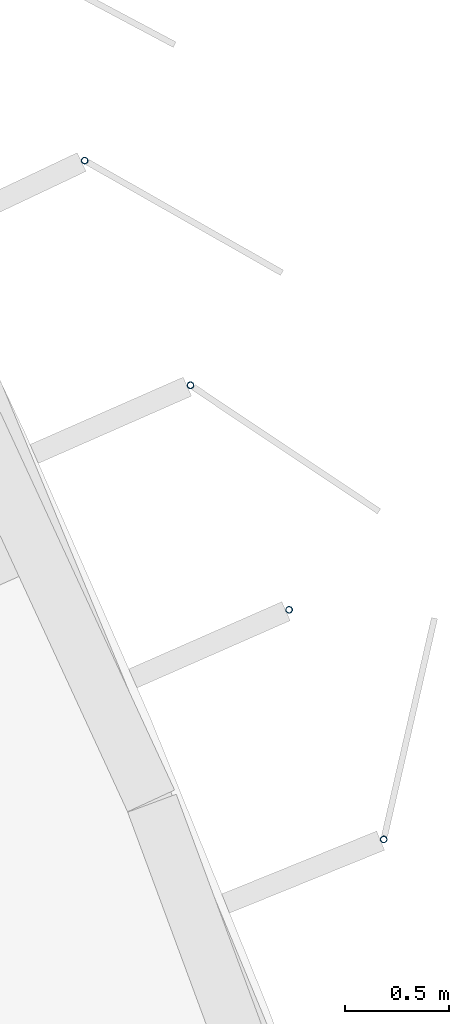
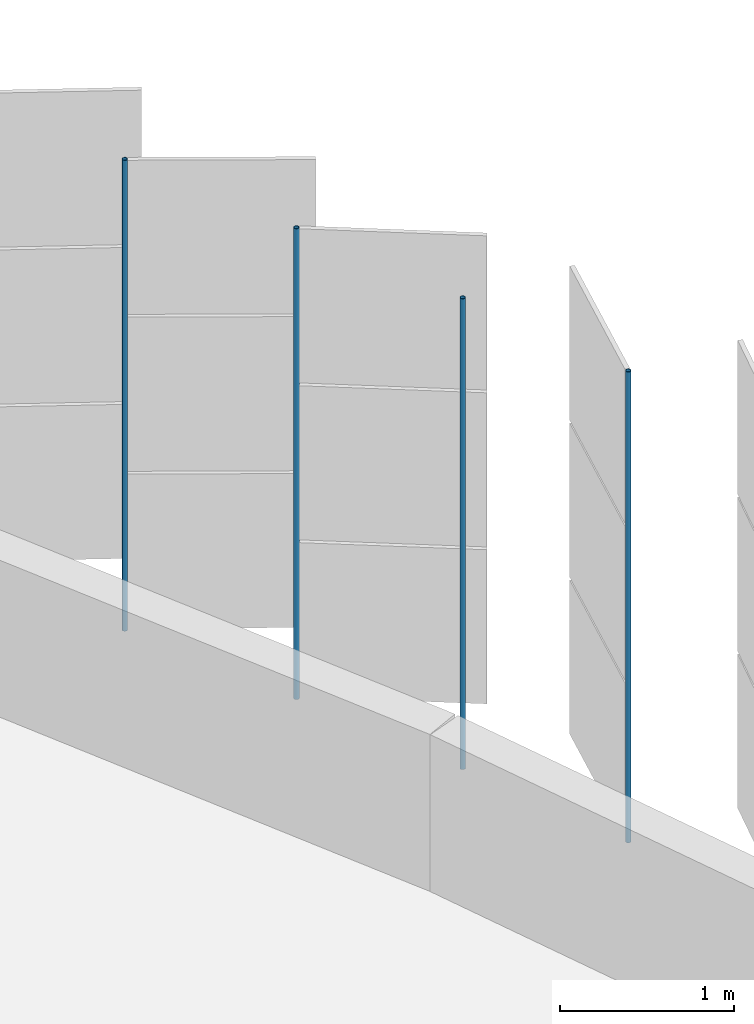
# One storey, part 140 of 214: 4 discrete accessories.
"""IFC4 building model written with IfcOpenShell, lengths in metres."""

from ifc_helpers import new_model, si_unit, direction, frame, origin, origin_2d, place, context, subcontext, project, spatial, hollow_circle, extrude, material, material_profile, profile_set, type_object, element, save


model = new_model("IFC4")

# Units and contexts
model_context = context("Model", 3, precision=1e-05, world=origin(), true_north=direction((0.0, 1.0)))
body_context = subcontext(model_context, "Body", "Model", "MODEL_VIEW")
ifc_project = project(units=[si_unit("LENGTHUNIT", "METRE"), si_unit("AREAUNIT", "SQUARE_METRE"), si_unit("VOLUMEUNIT", "CUBIC_METRE"), si_unit("PLANEANGLEUNIT", "RADIAN"), si_unit("MASSUNIT", "GRAM", prefix="KILO")], contexts=[model_context])

# Site, building, storey
site_placement = place(None, origin())
site = spatial("IfcSite", under=ifc_project, at=site_placement, CompositionType="ELEMENT")
building_placement = place(site_placement, origin())
building = spatial("IfcBuilding", under=site, at=building_placement, Name="Parallax Yard Mobility Hub", CompositionType="ELEMENT")
storey_placement = place(building_placement, frame((0.0, 0.0, 3.300048828125)))
storey = spatial("IfcBuildingStorey", under=building, at=storey_placement, Name="L01", CompositionType="ELEMENT", Elevation=3.300048828125)

# Discrete accessories
ifc_material = material(Name="Steel ASTM A500 Gr C, hot-dip galvanised", Category="steel")
ifc_material_profile = material_profile(ifc_material, hollow_circle(Radius=0.016845703125, WallThickness=0.003173828125, at=origin_2d()), Name="CHS 33.7x3.2")
ifc_profile_set = profile_set([ifc_material_profile], Name="Steel ASTM A500 Gr C, hot-dip galvanised")
discrete_accessory_type = type_object("IfcDiscreteAccessoryType", Name="Hinge post CHS 33.7x3.2", PredefinedType="BRACKET", material=ifc_profile_set)
for number, where, z_axis, x_axis, name in (
    (1, (221.985107421875, 109.8525390625, 0.0), (0.0, 0.0, 1.0), (1.0, 0.0, 0.0), "Hinge post bay 43.4 level L01"),
    (2, (221.528076171875, 110.961669921875, 0.0), (0.0, 0.0, 1.0), (1.0, 0.0, 0.0), "Hinge post bay 43.5 level L01"),
    (3, (221.051513671875, 112.04638671875, 0.0), (0.0, 0.0, 1.0), (1.0, 0.0, 0.0), "Hinge post bay 43.6 level L01"),
    (4, (220.54052734375, 113.131591796875, 0.0), (0.0, 0.0, 1.0), (1.0, 0.0, 0.0), "Hinge post bay 43.7 level L01"),
):
    element("IfcDiscreteAccessory", number, at=place(storey_placement, frame(where, z_axis=z_axis, x_axis=x_axis)), inside=storey, type_object=discrete_accessory_type, Name=name, PredefinedType="BRACKET", context=body_context, shape_type="SweptSolid", body=[
        extrude(hollow_circle(Radius=0.016845703125, WallThickness=0.003173828125, at=origin_2d()), origin(), (0.0, 0.0, 1.0), 3.300048828125),
    ])

save(model, "model.ifc")
